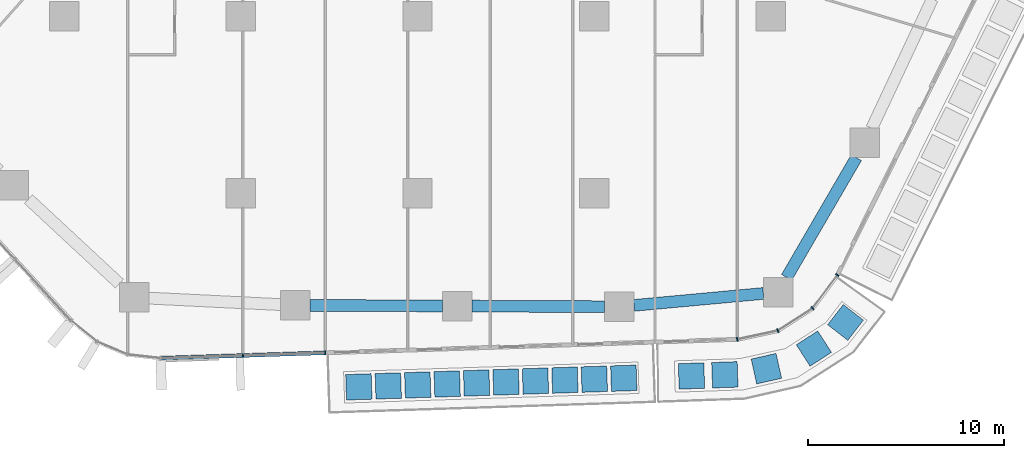
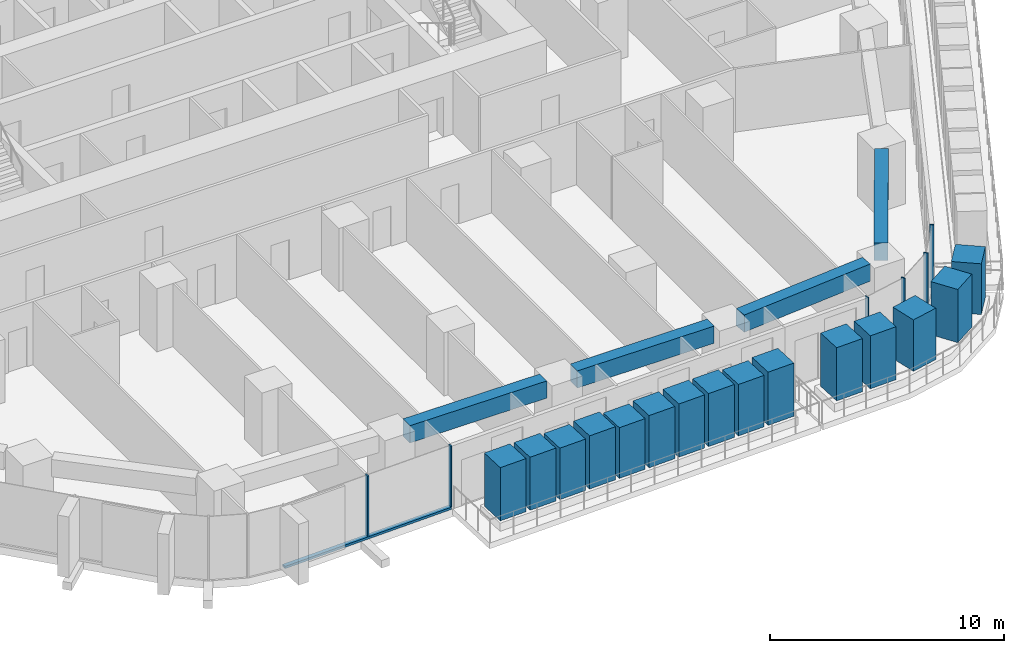
# One storey, part 5 of 27: 22 members, 4 beams, 2 elements without a shape of their own.
"""IFC4 building model written with IfcOpenShell, lengths in metres."""

from ifc_helpers import new_model, si_unit, direction, frame, origin, origin_2d, place, context, subcontext, project, spatial, rectangle, extrude, material, layer, layer_set, material_profile, profile_set, type_object, element, aggregate, save


model = new_model("IFC4")

# Units and contexts
model_context = context("Model", 3, precision=1e-05, world=origin(), true_north=direction((0.0, 1.0)))
body_context = subcontext(model_context, "Body", "Model", "MODEL_VIEW")
ifc_project = project(units=[si_unit("LENGTHUNIT", "METRE"), si_unit("AREAUNIT", "SQUARE_METRE"), si_unit("VOLUMEUNIT", "CUBIC_METRE"), si_unit("PLANEANGLEUNIT", "RADIAN"), si_unit("MASSUNIT", "GRAM", prefix="KILO")], contexts=[model_context])

# Site, building, storey
site_placement = place(None, origin())
site = spatial("IfcSite", under=ifc_project, at=site_placement, CompositionType="ELEMENT")
building_placement = place(site_placement, origin())
building = spatial("IfcBuilding", under=site, at=building_placement, Name="Dongbaek Canopy Tower", CompositionType="ELEMENT")
storey_placement = place(building_placement, frame((0.0, 0.0, 58.800048828125)))
storey = spatial("IfcBuildingStorey", under=building, at=storey_placement, Name="L10", CompositionType="ELEMENT", Elevation=58.800048828125)

# Curtain wall, members
ifc_material_1 = material(Name="Aluminium 6063-T6 pale anodised", Category="aluminium")
ifc_layer = layer(ifc_material_1, 0.199951171875)
ifc_layer_set = layer_set([ifc_layer], Name="CW-1 unitised tower curtain wall")
curtain_wall_type = type_object("IfcCurtainWallType", Name="CW-1 unitised tower curtain wall", PredefinedType="NOTDEFINED", material=ifc_layer_set)
curtain_wall_1_placement = place(storey_placement, origin())
curtain_wall_1 = element("IfcCurtainWall", 1, at=curtain_wall_1_placement, inside=storey, type_object=curtain_wall_type, Name="CW-1 curtain wall F4.1", PredefinedType="NOTDEFINED")
ifc_material_2 = material(Name="Aluminium 6063-T6 pale anodised", Category="aluminium")
ifc_material_profile_1 = material_profile(ifc_material_2, rectangle(XDim=0.199951171875, YDim=0.06005859375, at=origin_2d()), Name="CW-1 mullion 60 x 200")
ifc_profile_set_1 = profile_set([ifc_material_profile_1], Name="Aluminium 6063-T6 pale anodised")
member_type_1 = type_object("IfcMemberType", Name="CW-1 mullion 60 x 200", PredefinedType="MULLION", material=ifc_profile_set_1)
member_1_placement = place(storey_placement, frame((-8.895263671875, -35.27294921875, 0.119873046875), z_axis=(0.0, 0.0, 1.0), x_axis=(0.032645591573, -0.999466990626, 0.0)))
member_1 = element("IfcMember", 2, at=member_1_placement, type_object=member_type_1, Name="CW-1 mullion F4.1.2", PredefinedType="MULLION", context=body_context, shape_type="SweptSolid", body=[
    extrude(rectangle(XDim=0.199951171875, YDim=0.06005859375, at=origin_2d()), origin(), (0.0, 0.0, 1.0), 3.18017578125),
])
member_2_placement = place(storey_placement, frame((-4.696533203125, -35.1357421875, 0.119873046875), z_axis=(0.0, 0.0, 1.0), x_axis=(0.032645591573, -0.999466990626, 0.0)))
member_2 = element("IfcMember", 3, at=member_2_placement, type_object=member_type_1, Name="CW-1 mullion F4.1.3", PredefinedType="MULLION", context=body_context, shape_type="SweptSolid", body=[
    extrude(rectangle(XDim=0.199951171875, YDim=0.06005859375, at=origin_2d()), origin(), (0.0, 0.0, 1.0), 3.18017578125),
])

curtain_wall_2_placement = place(storey_placement, origin())
curtain_wall_2 = element("IfcCurtainWall", 4, at=curtain_wall_2_placement, inside=storey, type_object=curtain_wall_type, Name="CW-1 curtain wall K5.1", PredefinedType="NOTDEFINED")
member_3_placement = place(storey_placement, frame((16.28857421875, -34.450439453125, 0.0), z_axis=(0.0, 0.0, 1.0), x_axis=(0.210435377636, -0.977607769936, 0.0)))
member_3 = element("IfcMember", 5, at=member_3_placement, type_object=member_type_1, Name="CW-1 mullion K5.1.1", PredefinedType="MULLION", context=body_context, shape_type="SweptSolid", body=[
    extrude(rectangle(XDim=0.199951171875, YDim=0.06005859375, at=origin_2d()), origin(), (0.0, 0.0, 1.0), 3.300048828125),
])
member_4_placement = place(storey_placement, frame((18.35498046875, -34.005615234375, 0.0), z_axis=(0.0, 0.0, 1.0), x_axis=(0.381472916659, -0.924380015933, 0.0)))
member_4 = element("IfcMember", 6, at=member_4_placement, type_object=member_type_1, Name="CW-1 mullion K5.1.2", PredefinedType="MULLION", context=body_context, shape_type="SweptSolid", body=[
    extrude(rectangle(XDim=0.199951171875, YDim=0.06005859375, at=origin_2d()), origin(), (0.0, 0.0, 1.0), 3.300048828125),
])
member_5_placement = place(storey_placement, frame((20.1259765625, -32.86865234375, 0.0), z_axis=(0.0, 0.0, 1.0), x_axis=(0.681731660666, -0.731602311947, 0.0)))
member_5 = element("IfcMember", 7, at=member_5_placement, type_object=member_type_1, Name="CW-1 mullion K5.1.3", PredefinedType="MULLION", context=body_context, shape_type="SweptSolid", body=[
    extrude(rectangle(XDim=0.199951171875, YDim=0.06005859375, at=origin_2d()), origin(), (0.0, 0.0, 1.0), 3.300048828125),
])
member_6_placement = place(storey_placement, frame((21.390625, -31.1748046875, 0.0), z_axis=(0.0, 0.0, 1.0), x_axis=(0.801318453228, -0.598238026638, 0.0)))
member_6 = element("IfcMember", 8, at=member_6_placement, type_object=member_type_1, Name="CW-1 mullion K5.1.4", PredefinedType="MULLION", context=body_context, shape_type="SweptSolid", body=[
    extrude(rectangle(XDim=0.199951171875, YDim=0.06005859375, at=origin_2d()), origin(), (0.0, 0.0, 1.0), 3.300048828125),
])
aggregate(curtain_wall_2, [member_3, member_4, member_5, member_6])

# Member
ifc_material_3 = material(Name="Aluminium 6063-T6 pale anodised", Category="aluminium")
ifc_material_profile_2 = material_profile(ifc_material_3, rectangle(XDim=0.199951171875, YDim=0.1201171875, at=origin_2d()), Name="CW-1 transom 120 x 200")
ifc_profile_set_2 = profile_set([ifc_material_profile_2], Name="Aluminium 6063-T6 pale anodised")
member_type_2 = type_object("IfcMemberType", Name="CW-1 transom 120 x 200", PredefinedType="USERDEFINED", material=ifc_profile_set_2)
member_7_placement = place(storey_placement, frame((-13.0869140625, -35.409912109375, 0.06005859375), z_axis=(0.999466543947, 0.032659264086, 0.0), x_axis=(-0.032659264086, 0.999466543947, 0.0)))
member_7 = element("IfcMember", 9, at=member_7_placement, type_object=member_type_2, Name="CW-1 transom F4.1.1", ObjectType="TRANSOM", PredefinedType="USERDEFINED", context=body_context, shape_type="SweptSolid", body=[
    extrude(rectangle(XDim=0.199951171875, YDim=0.1201171875, at=origin_2d()), origin(), (0.0, 0.0, 1.0), 8.394775390625),
])

aggregate(curtain_wall_1, [member_1, member_2, member_7])

# Beams
ifc_material_4 = material(Name="Concrete C80", Category="concrete")
ifc_material_profile_3 = material_profile(ifc_material_4, rectangle(XDim=0.60009765625, YDim=0.89990234375, at=origin_2d()), Name="RC EDGE BEAM 600x900 C80")
ifc_profile_set_3 = profile_set([ifc_material_profile_3], Name="Concrete C80")
beam_type = type_object("IfcBeamType", Name="RC EDGE BEAM 600x900 C80", PredefinedType="BEAM", material=ifc_profile_set_3)
beam_1_placement = place(storey_placement, frame((17.617919921875, -32.1123046875, 2.849853515625), z_axis=(-0.995766471257, -0.091919174929, 0.0), x_axis=(0.091919174929, -0.995766471257, 0.0)))
element("IfcBeam", 10, at=beam_1_placement, inside=storey, type_object=beam_type, Name="EDGEBEAM:L10:00", PredefinedType="BEAM", context=body_context, shape_type="SweptSolid", body=[
    extrude(rectangle(XDim=0.60009765625, YDim=0.89990234375, at=origin_2d()), origin(), (0.0, 0.0, 1.0), 6.618896484375),
])
beam_2_placement = place(storey_placement, frame((9.527099609375, -32.78662109375, 2.849853515625), z_axis=(-0.999989942747, 0.004484908597, 0.0), x_axis=(-0.004484908597, -0.999989942747, 0.0)))
element("IfcBeam", 11, at=beam_2_placement, inside=storey, type_object=beam_type, Name="EDGEBEAM:L10:01", PredefinedType="BEAM", context=body_context, shape_type="SweptSolid", body=[
    extrude(rectangle(XDim=0.60009765625, YDim=0.89990234375, at=origin_2d()), origin(), (0.0, 0.0, 1.0), 6.75),
])
beam_3_placement = place(storey_placement, frame((1.277099609375, -32.749755859375, 2.849853515625), z_axis=(-0.999990420723, 0.004377038088, 0.0), x_axis=(-0.004377038088, -0.999990420723, 0.0)))
element("IfcBeam", 12, at=beam_3_placement, inside=storey, type_object=beam_type, Name="EDGEBEAM:L10:02", PredefinedType="BEAM", context=body_context, shape_type="SweptSolid", body=[
    extrude(rectangle(XDim=0.60009765625, YDim=0.89990234375, at=origin_2d()), origin(), (0.0, 0.0, 1.0), 6.7490234375),
])
beam_4_placement = place(storey_placement, frame((22.35546875, -25.193115234375, 2.849853515625), z_axis=(-0.503081510817, -0.864238967806, 0.0), x_axis=(0.864238967806, -0.503081510817, 0.0)))
element("IfcBeam", 13, at=beam_4_placement, inside=storey, type_object=beam_type, Name="EDGEBEAM:L10:25", PredefinedType="BEAM", context=body_context, shape_type="SweptSolid", body=[
    extrude(rectangle(XDim=0.60009765625, YDim=0.89990234375, at=origin_2d()), origin(), (0.0, 0.0, 1.0), 7.05810546875),
])

# Members
ifc_material_5 = material(Name="Concrete C40/50 planter mass with planting", Category="concrete")
ifc_material_profile_4 = material_profile(ifc_material_5, rectangle(XDim=1.300048828125, YDim=1.300048828125, at=origin_2d()), Name="Terrace PLANTER shrub mass 1300 x 1300")
ifc_profile_set_4 = profile_set([ifc_material_profile_4], Name="Concrete C40/50 planter mass with planting")
member_type_3 = type_object("IfcMemberType", Name="Terrace PLANTER shrub mass 1300 x 1300", PredefinedType="USERDEFINED", material=ifc_profile_set_4)
member_8_placement = place(storey_placement, frame((-2.98876953125, -36.87109375, 0.419921875), z_axis=(0.0, 0.0, 1.0), x_axis=(0.032645591573, -0.999466990626, 0.0)))
element("IfcMember", 14, at=member_8_placement, inside=storey, type_object=member_type_3, Name="Planter shrubs L10 4.1", ObjectType="PLANTER", PredefinedType="USERDEFINED", context=body_context, shape_type="SweptSolid", body=[
    extrude(rectangle(XDim=1.300048828125, YDim=1.300048828125, at=origin_2d()), origin(), (0.0, 0.0, 1.0), 2.780029296875),
])
member_9_placement = place(storey_placement, frame((-1.489013671875, -36.822021484375, 0.419921875), z_axis=(0.0, 0.0, 1.0), x_axis=(0.032645591573, -0.999466990626, 0.0)))
element("IfcMember", 15, at=member_9_placement, inside=storey, type_object=member_type_3, Name="Planter shrubs L10 4.2", ObjectType="PLANTER", PredefinedType="USERDEFINED", context=body_context, shape_type="SweptSolid", body=[
    extrude(rectangle(XDim=1.300048828125, YDim=1.300048828125, at=origin_2d()), origin(), (0.0, 0.0, 1.0), 2.77001953125),
])
member_10_placement = place(storey_placement, frame((0.010498046875, -36.77294921875, 0.419921875), z_axis=(0.0, 0.0, 1.0), x_axis=(0.032645591573, -0.999466990626, 0.0)))
element("IfcMember", 16, at=member_10_placement, inside=storey, type_object=member_type_3, Name="Planter shrubs L10 4.3", ObjectType="PLANTER", PredefinedType="USERDEFINED", context=body_context, shape_type="SweptSolid", body=[
    extrude(rectangle(XDim=1.300048828125, YDim=1.300048828125, at=origin_2d()), origin(), (0.0, 0.0, 1.0), 2.68994140625),
])
member_11_placement = place(storey_placement, frame((1.51025390625, -36.72412109375, 0.419921875), z_axis=(0.0, 0.0, 1.0), x_axis=(0.032645591573, -0.999466990626, 0.0)))
element("IfcMember", 17, at=member_11_placement, inside=storey, type_object=member_type_3, Name="Planter shrubs L10 4.4", ObjectType="PLANTER", PredefinedType="USERDEFINED", context=body_context, shape_type="SweptSolid", body=[
    extrude(rectangle(XDim=1.300048828125, YDim=1.300048828125, at=origin_2d()), origin(), (0.0, 0.0, 1.0), 2.780029296875),
])
member_12_placement = place(storey_placement, frame((3.009765625, -36.675048828125, 0.419921875), z_axis=(0.0, 0.0, 1.0), x_axis=(0.032645591573, -0.999466990626, 0.0)))
element("IfcMember", 18, at=member_12_placement, inside=storey, type_object=member_type_3, Name="Planter shrubs L10 4.5", ObjectType="PLANTER", PredefinedType="USERDEFINED", context=body_context, shape_type="SweptSolid", body=[
    extrude(rectangle(XDim=1.300048828125, YDim=1.300048828125, at=origin_2d()), origin(), (0.0, 0.0, 1.0), 2.650146484375),
])
member_13_placement = place(storey_placement, frame((4.50927734375, -36.626220703125, 0.419921875), z_axis=(0.0, 0.0, 1.0), x_axis=(0.032645591573, -0.999466990626, 0.0)))
element("IfcMember", 19, at=member_13_placement, inside=storey, type_object=member_type_3, Name="Planter shrubs L10 4.6", ObjectType="PLANTER", PredefinedType="USERDEFINED", context=body_context, shape_type="SweptSolid", body=[
    extrude(rectangle(XDim=1.300048828125, YDim=1.300048828125, at=origin_2d()), origin(), (0.0, 0.0, 1.0), 2.72998046875),
])
member_14_placement = place(storey_placement, frame((6.009033203125, -36.5771484375, 0.419921875), z_axis=(0.0, 0.0, 1.0), x_axis=(0.032645591573, -0.999466990626, 0.0)))
element("IfcMember", 20, at=member_14_placement, inside=storey, type_object=member_type_3, Name="Planter shrubs L10 4.7", ObjectType="PLANTER", PredefinedType="USERDEFINED", context=body_context, shape_type="SweptSolid", body=[
    extrude(rectangle(XDim=1.300048828125, YDim=1.300048828125, at=origin_2d()), origin(), (0.0, 0.0, 1.0), 2.780029296875),
])
member_15_placement = place(storey_placement, frame((7.508544921875, -36.528076171875, 0.419921875), z_axis=(0.0, 0.0, 1.0), x_axis=(0.032645591573, -0.999466990626, 0.0)))
element("IfcMember", 21, at=member_15_placement, inside=storey, type_object=member_type_3, Name="Planter shrubs L10 4.8", ObjectType="PLANTER", PredefinedType="USERDEFINED", context=body_context, shape_type="SweptSolid", body=[
    extrude(rectangle(XDim=1.300048828125, YDim=1.300048828125, at=origin_2d()), origin(), (0.0, 0.0, 1.0), 2.77001953125),
])
member_16_placement = place(storey_placement, frame((9.00830078125, -36.479248046875, 0.419921875), z_axis=(0.0, 0.0, 1.0), x_axis=(0.032645591573, -0.999466990626, 0.0)))
element("IfcMember", 22, at=member_16_placement, inside=storey, type_object=member_type_3, Name="Planter shrubs L10 4.9", ObjectType="PLANTER", PredefinedType="USERDEFINED", context=body_context, shape_type="SweptSolid", body=[
    extrude(rectangle(XDim=1.300048828125, YDim=1.300048828125, at=origin_2d()), origin(), (0.0, 0.0, 1.0), 2.68994140625),
])
for number, where, z_axis, x_axis, name in (
    (23, (10.5078125, -36.43017578125, 0.419921875), (0.0, 0.0, 1.0), (0.032645591573, -0.999466990626, 0.0), "Planter shrubs L10 4.10"),
    (24, (13.956787109375, -36.31591796875, 0.419921875), (0.0, 0.0, 1.0), (0.034640711446, -0.999399830454, 0.0), "Planter shrubs L10 8.1"),
):
    element("IfcMember", number, at=place(storey_placement, frame(where, z_axis=z_axis, x_axis=x_axis)), inside=storey, type_object=member_type_3, Name=name, ObjectType="PLANTER", PredefinedType="USERDEFINED", context=body_context, shape_type="SweptSolid", body=[
        extrude(rectangle(XDim=1.300048828125, YDim=1.300048828125, at=origin_2d()), origin(), (0.0, 0.0, 1.0), 2.780029296875),
    ])
member_17_placement = place(storey_placement, frame((15.656982421875, -36.2568359375, 0.419921875), z_axis=(0.0, 0.0, 1.0), x_axis=(0.034640711446, -0.999399830454, 0.0)))
element("IfcMember", 25, at=member_17_placement, inside=storey, type_object=member_type_3, Name="Planter shrubs L10 8.2", ObjectType="PLANTER", PredefinedType="USERDEFINED", context=body_context, shape_type="SweptSolid", body=[
    extrude(rectangle(XDim=1.300048828125, YDim=1.300048828125, at=origin_2d()), origin(), (0.0, 0.0, 1.0), 2.77001953125),
])
member_18_placement = place(storey_placement, frame((17.772705078125, -35.944580078125, 0.419921875), z_axis=(0.0, 0.0, 1.0), x_axis=(0.218087962412, -0.975929116612, 0.0)))
element("IfcMember", 26, at=member_18_placement, inside=storey, type_object=member_type_3, Name="Planter shrubs L10 8.3", ObjectType="PLANTER", PredefinedType="USERDEFINED", context=body_context, shape_type="SweptSolid", body=[
    extrude(rectangle(XDim=1.300048828125, YDim=1.300048828125, at=origin_2d()), origin(), (0.0, 0.0, 1.0), 2.68994140625),
])
member_19_placement = place(storey_placement, frame((20.19287109375, -34.92041015625, 0.419921875), z_axis=(0.0, 0.0, 1.0), x_axis=(0.54027012142, -0.841491649335, 0.0)))
element("IfcMember", 27, at=member_19_placement, inside=storey, type_object=member_type_3, Name="Planter shrubs L10 8.4", ObjectType="PLANTER", PredefinedType="USERDEFINED", context=body_context, shape_type="SweptSolid", body=[
    extrude(rectangle(XDim=1.300048828125, YDim=1.300048828125, at=origin_2d()), origin(), (0.0, 0.0, 1.0), 2.780029296875),
])
member_20_placement = place(storey_placement, frame((21.8046875, -33.58935546875, 0.419921875), z_axis=(0.0, 0.0, 1.0), x_axis=(0.790319504044, -0.612694933493, 0.0)))
element("IfcMember", 28, at=member_20_placement, inside=storey, type_object=member_type_3, Name="Planter shrubs L10 8.5", ObjectType="PLANTER", PredefinedType="USERDEFINED", context=body_context, shape_type="SweptSolid", body=[
    extrude(rectangle(XDim=1.300048828125, YDim=1.300048828125, at=origin_2d()), origin(), (0.0, 0.0, 1.0), 2.650146484375),
])

save(model, "model.ifc")
